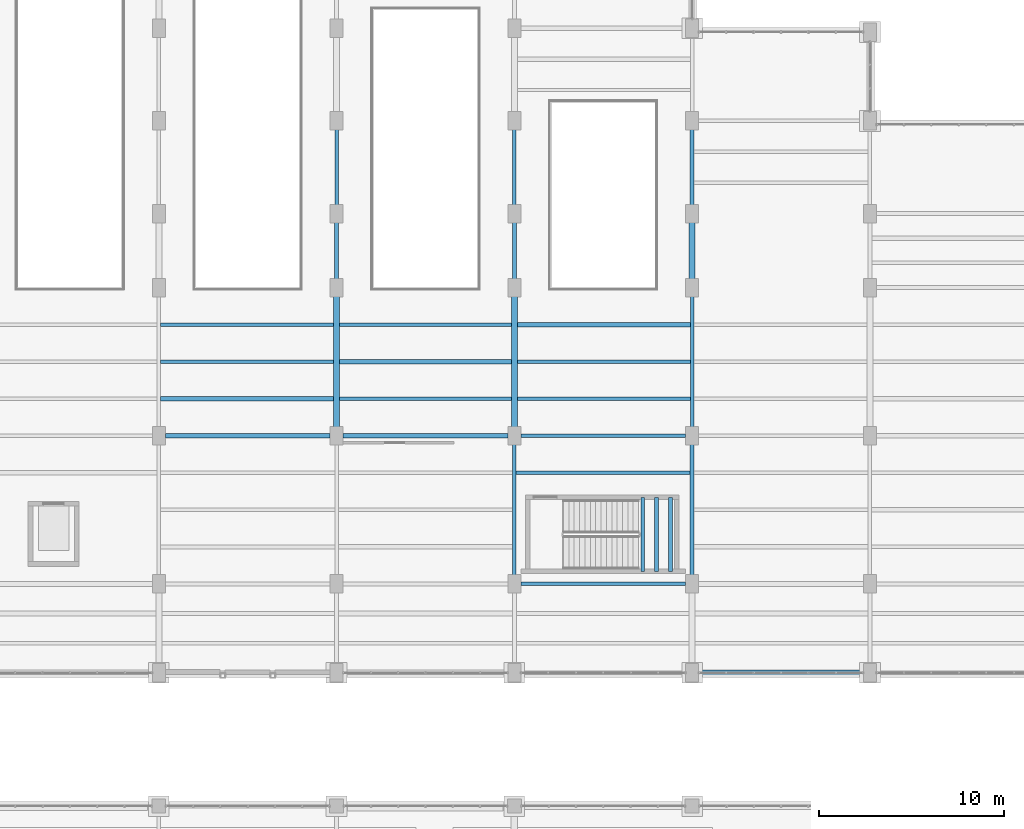
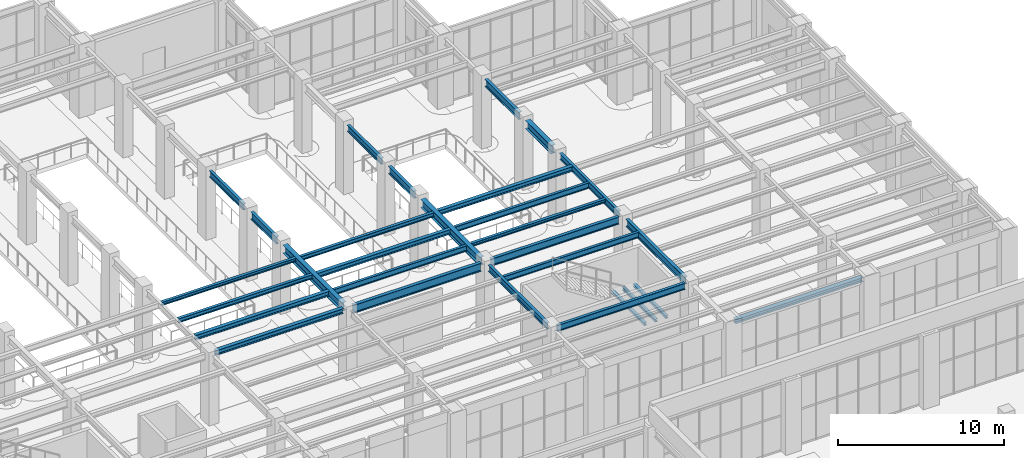
# One storey, part 103 of 164: 29 beams.
"""IFC4 building model written with IfcOpenShell, lengths in metres."""

from ifc_helpers import new_model, si_unit, direction, frame, origin, origin_2d, place, context, subcontext, project, spatial, i_section, extrude, material, material_profile, profile_set, type_object, element, save


model = new_model("IFC4")

# Units and contexts
model_context = context("Model", 3, precision=1e-05, world=origin(), true_north=direction((0.0, 1.0)))
body_context = subcontext(model_context, "Body", "Model", "MODEL_VIEW")
ifc_project = project(units=[si_unit("LENGTHUNIT", "METRE"), si_unit("AREAUNIT", "SQUARE_METRE"), si_unit("VOLUMEUNIT", "CUBIC_METRE"), si_unit("PLANEANGLEUNIT", "RADIAN"), si_unit("MASSUNIT", "GRAM", prefix="KILO")], contexts=[model_context])

# Site, building, storey
site_placement = place(None, origin())
site = spatial("IfcSite", under=ifc_project, at=site_placement, CompositionType="ELEMENT")
building_placement = place(site_placement, origin())
building = spatial("IfcBuilding", under=site, at=building_placement, Name="Mavantir Sound Aquarium", CompositionType="ELEMENT")
storey_placement = place(building_placement, origin())
storey = spatial("IfcBuildingStorey", under=building, at=storey_placement, Name="L00", CompositionType="ELEMENT", Elevation=0.0)

# Beams
ifc_material = material(Name="Structural Steel ASTM A992 Gr50", Category="steel")
ifc_material_profile_1 = material_profile(ifc_material, i_section(OverallWidth=0.202880859375, OverallDepth=0.202880859375, WebThickness=0.007080078125, FlangeThickness=0.010986328125, FilletRadius=0.010009765625, at=origin_2d()), Name="W200X46")
ifc_profile_set_1 = profile_set([ifc_material_profile_1], Name="Structural Steel ASTM A992 Gr50")
beam_type_1 = type_object("IfcBeamType", Name="BM-W200X46-I", PredefinedType="LINTEL", material=ifc_profile_set_1)
for number, where, z_axis, x_axis, name in (
    (1, (153.330078125, 41.47509765625, 2.3955078125), (0.0, 1.0, 0.0), (-1.0, 0.0, 0.0), "Stair ST12 landing support beam 73"),
    (2, (154.080078125, 41.47509765625, 2.3955078125), (0.0, 1.0, 0.0), (-1.0, 0.0, 0.0), "Stair ST12 landing support beam 74"),
    (3, (154.830078125, 41.47509765625, 2.3955078125), (0.0, 1.0, 0.0), (-1.0, 0.0, 0.0), "Stair ST12 landing support beam 75"),
):
    element("IfcBeam", number, at=place(storey_placement, frame(where, z_axis=z_axis, x_axis=x_axis)), inside=storey, type_object=beam_type_1, Name=name, PredefinedType="LINTEL", context=body_context, shape_type="SweptSolid", body=[
        extrude(i_section(OverallWidth=0.202880859375, OverallDepth=0.202880859375, WebThickness=0.007080078125, FlangeThickness=0.010986328125, FilletRadius=0.010009765625, at=origin_2d()), origin(), (0.0, 0.0, 1.0), 4.0),
    ])
ifc_material_profile_2 = material_profile(ifc_material, i_section(OverallWidth=0.202880859375, OverallDepth=0.251953125, WebThickness=0.008056640625, FlangeThickness=0.013427734375, FilletRadius=0.011962890625, at=origin_2d()), Name="W250X58")
ifc_profile_set_2 = profile_set([ifc_material_profile_2], Name="Structural Steel ASTM A992 Gr50")
beam_type_2 = type_object("IfcBeamType", Name="BM-W250X58-I", PredefinedType="JOIST", material=ifc_profile_set_2)
beam_1_placement = place(storey_placement, frame((127.297119140625, 54.800048828125, 4.9599609375), z_axis=(1.0, 0.0, 0.0), x_axis=(0.0, 1.0, 0.0)))
element("IfcBeam", 4, at=beam_1_placement, inside=storey, type_object=beam_type_2, Name="L00 secondary floor joist SJ-25 544", PredefinedType="JOIST", context=body_context, shape_type="SweptSolid", body=[
    extrude(i_section(OverallWidth=0.202880859375, OverallDepth=0.251953125, WebThickness=0.008056640625, FlangeThickness=0.013427734375, FilletRadius=0.011962890625, at=origin_2d()), origin(), (0.0, 0.0, 1.0), 9.3408203125),
])
beam_2_placement = place(storey_placement, frame((146.56201171875, 50.800048828125, 4.97998046875), z_axis=(1.0, 0.0, 0.0), x_axis=(0.0, 1.0, 0.0)))
element("IfcBeam", 5, at=beam_2_placement, inside=storey, type_object=beam_type_2, Name="L00 secondary floor joist SJ-25 548", PredefinedType="JOIST", context=body_context, shape_type="SweptSolid", body=[
    extrude(i_section(OverallWidth=0.202880859375, OverallDepth=0.251953125, WebThickness=0.008056640625, FlangeThickness=0.013427734375, FilletRadius=0.011962890625, at=origin_2d()), origin(), (0.0, 0.0, 1.0), 9.341064453125),
])
ifc_material_profile_3 = material_profile(ifc_material, i_section(OverallWidth=0.205078125, OverallDepth=0.31005859375, WebThickness=0.009521484375, FlangeThickness=0.016357421875, FilletRadius=0.012939453125, at=origin_2d()), Name="W310X74")
ifc_profile_set_3 = profile_set([ifc_material_profile_3], Name="Structural Steel ASTM A992 Gr50")
beam_type_3 = type_object("IfcBeamType", Name="BM-W310X74-I", PredefinedType="JOIST", material=ifc_profile_set_3)
beam_3_placement = place(storey_placement, frame((127.297119140625, 52.800048828125, 4.930908203125), z_axis=(1.0, 0.0, 0.0), x_axis=(0.0, 1.0, 0.0)))
element("IfcBeam", 6, at=beam_3_placement, inside=storey, type_object=beam_type_3, Name="L00 secondary floor joist SJ-31 543", PredefinedType="JOIST", context=body_context, shape_type="SweptSolid", body=[
    extrude(i_section(OverallWidth=0.205078125, OverallDepth=0.31005859375, WebThickness=0.009521484375, FlangeThickness=0.016357421875, FilletRadius=0.012939453125, at=origin_2d()), origin(), (0.0, 0.0, 1.0), 9.3408203125),
])
beam_4_placement = place(storey_placement, frame((136.9619140625, 54.800048828125, 4.910888671875), z_axis=(1.0, 0.0, 0.0), x_axis=(0.0, 1.0, 0.0)))
element("IfcBeam", 7, at=beam_4_placement, inside=storey, type_object=beam_type_3, Name="L00 secondary floor joist SJ-31 547", PredefinedType="JOIST", context=body_context, shape_type="SweptSolid", body=[
    extrude(i_section(OverallWidth=0.205078125, OverallDepth=0.31005859375, WebThickness=0.009521484375, FlangeThickness=0.016357421875, FilletRadius=0.012939453125, at=origin_2d()), origin(), (0.0, 0.0, 1.0), 9.276123046875),
])
ifc_material_profile_4 = material_profile(ifc_material, i_section(OverallWidth=0.304931640625, OverallDepth=0.30810546875, WebThickness=0.010009765625, FlangeThickness=0.015380859375, FilletRadius=0.014892578125, at=origin_2d()), Name="W310X97")
ifc_profile_set_4 = profile_set([ifc_material_profile_4], Name="Structural Steel ASTM A992 Gr50")
beam_type_4 = type_object("IfcBeamType", Name="BM-W310X97-E", PredefinedType="SPANDREL", material=ifc_profile_set_4)
beam_5_placement = place(storey_placement, frame((156.35009765625, 36.0, 4.912109375), z_axis=(1.0, 0.0, 0.0), x_axis=(0.0, 1.0, 0.0)))
element("IfcBeam", 8, at=beam_5_placement, inside=storey, type_object=beam_type_4, Name="L00 primary beam SS-31A 929", PredefinedType="SPANDREL", context=body_context, shape_type="SweptSolid", body=[
    extrude(i_section(OverallWidth=0.304931640625, OverallDepth=0.30810546875, WebThickness=0.010009765625, FlangeThickness=0.015380859375, FilletRadius=0.014892578125, at=origin_2d()), origin(), (0.0, 0.0, 1.0), 8.89990234375),
])
ifc_material_profile_5 = material_profile(ifc_material, i_section(OverallWidth=0.257080078125, OverallDepth=0.363037109375, WebThickness=0.012939453125, FlangeThickness=0.021728515625, FilletRadius=0.014892578125, at=origin_2d()), Name="W360X122")
ifc_profile_set_5 = profile_set([ifc_material_profile_5], Name="Structural Steel ASTM A992 Gr50")
beam_type_5 = type_object("IfcBeamType", Name="BM-W360X122-I", PredefinedType="BEAM", material=ifc_profile_set_5)
beam_6_placement = place(storey_placement, frame((127.550048828125, 48.800048828125, 4.904541015625), z_axis=(1.0, 0.0, 0.0), x_axis=(0.0, 1.0, 0.0)))
element("IfcBeam", 9, at=beam_6_placement, inside=storey, type_object=beam_type_5, Name="L00 primary beam SB-36A 940", PredefinedType="BEAM", context=body_context, shape_type="SweptSolid", body=[
    extrude(i_section(OverallWidth=0.257080078125, OverallDepth=0.363037109375, WebThickness=0.012939453125, FlangeThickness=0.021728515625, FilletRadius=0.014892578125, at=origin_2d()), origin(), (0.0, 0.0, 1.0), 8.89990234375),
])
ifc_material_profile_6 = material_profile(ifc_material, i_section(OverallWidth=0.25390625, OverallDepth=0.35302734375, WebThickness=0.009521484375, FlangeThickness=0.016357421875, FilletRadius=0.014892578125, at=origin_2d()), Name="W360X91")
ifc_profile_set_6 = profile_set([ifc_material_profile_6], Name="Structural Steel ASTM A992 Gr50")
beam_type_6 = type_object("IfcBeamType", Name="BM-W360X91-I", PredefinedType="JOIST", material=ifc_profile_set_6)
beam_7_placement = place(storey_placement, frame((127.297119140625, 50.800048828125, 4.909423828125), z_axis=(1.0, 0.0, 0.0), x_axis=(0.0, 1.0, 0.0)))
element("IfcBeam", 10, at=beam_7_placement, inside=storey, type_object=beam_type_6, Name="L00 secondary floor joist SJ-36 542", PredefinedType="JOIST", context=body_context, shape_type="SweptSolid", body=[
    extrude(i_section(OverallWidth=0.25390625, OverallDepth=0.35302734375, WebThickness=0.009521484375, FlangeThickness=0.016357421875, FilletRadius=0.014892578125, at=origin_2d()), origin(), (0.0, 0.0, 1.0), 9.3408203125),
])
beam_8_placement = place(storey_placement, frame((136.9619140625, 52.800048828125, 4.889404296875), z_axis=(1.0, 0.0, 0.0), x_axis=(0.0, 1.0, 0.0)))
element("IfcBeam", 11, at=beam_8_placement, inside=storey, type_object=beam_type_6, Name="L00 secondary floor joist SJ-36 546", PredefinedType="JOIST", context=body_context, shape_type="SweptSolid", body=[
    extrude(i_section(OverallWidth=0.25390625, OverallDepth=0.35302734375, WebThickness=0.009521484375, FlangeThickness=0.016357421875, FilletRadius=0.014892578125, at=origin_2d()), origin(), (0.0, 0.0, 1.0), 9.276123046875),
])
beam_9_placement = place(storey_placement, frame((146.56201171875, 54.800048828125, 4.929443359375), z_axis=(1.0, 0.0, 0.0), x_axis=(0.0, 1.0, 0.0)))
element("IfcBeam", 12, at=beam_9_placement, inside=storey, type_object=beam_type_6, Name="L00 secondary floor joist SJ-36 550", PredefinedType="JOIST", context=body_context, shape_type="SweptSolid", body=[
    extrude(i_section(OverallWidth=0.25390625, OverallDepth=0.35302734375, WebThickness=0.009521484375, FlangeThickness=0.016357421875, FilletRadius=0.014892578125, at=origin_2d()), origin(), (0.0, 0.0, 1.0), 9.341064453125),
])
ifc_material_profile_7 = material_profile(ifc_material, i_section(OverallWidth=0.180908203125, OverallDepth=0.4169921875, WebThickness=0.010986328125, FlangeThickness=0.018310546875, FilletRadius=0.014892578125, at=origin_2d()), Name="W410X85")
ifc_profile_set_7 = profile_set([ifc_material_profile_7], Name="Structural Steel ASTM A992 Gr50")
beam_type_7 = type_object("IfcBeamType", Name="BM-W410X85-I", PredefinedType="JOIST", material=ifc_profile_set_7)
beam_10_placement = place(storey_placement, frame((146.4970703125, 46.800048828125, 4.8974609375), z_axis=(1.0, 0.0, 0.0), x_axis=(0.0, 1.0, 0.0)))
element("IfcBeam", 13, at=beam_10_placement, inside=storey, type_object=beam_type_7, Name="L00 secondary floor joist SJ-41 529", PredefinedType="JOIST", context=body_context, shape_type="SweptSolid", body=[
    extrude(i_section(OverallWidth=0.180908203125, OverallDepth=0.4169921875, WebThickness=0.010986328125, FlangeThickness=0.018310546875, FilletRadius=0.014892578125, at=origin_2d()), origin(), (0.0, 0.0, 1.0), 9.39697265625),
])
beam_11_placement = place(storey_placement, frame((136.9619140625, 50.800048828125, 4.857421875), z_axis=(1.0, 0.0, 0.0), x_axis=(0.0, 1.0, 0.0)))
element("IfcBeam", 14, at=beam_11_placement, inside=storey, type_object=beam_type_7, Name="L00 secondary floor joist SJ-41 545", PredefinedType="JOIST", context=body_context, shape_type="SweptSolid", body=[
    extrude(i_section(OverallWidth=0.180908203125, OverallDepth=0.4169921875, WebThickness=0.010986328125, FlangeThickness=0.018310546875, FilletRadius=0.014892578125, at=origin_2d()), origin(), (0.0, 0.0, 1.0), 9.276123046875),
])
beam_12_placement = place(storey_placement, frame((146.56201171875, 52.800048828125, 4.8974609375), z_axis=(1.0, 0.0, 0.0), x_axis=(0.0, 1.0, 0.0)))
element("IfcBeam", 15, at=beam_12_placement, inside=storey, type_object=beam_type_7, Name="L00 secondary floor joist SJ-41 549", PredefinedType="JOIST", context=body_context, shape_type="SweptSolid", body=[
    extrude(i_section(OverallWidth=0.180908203125, OverallDepth=0.4169921875, WebThickness=0.010986328125, FlangeThickness=0.018310546875, FilletRadius=0.014892578125, at=origin_2d()), origin(), (0.0, 0.0, 1.0), 9.341064453125),
])
ifc_material_profile_8 = material_profile(ifc_material, i_section(OverallWidth=0.194091796875, OverallDepth=0.468994140625, WebThickness=0.0126953125, FlangeThickness=0.0205078125, FilletRadius=0.01611328125, at=origin_2d()), Name="W460X106")
ifc_profile_set_8 = profile_set([ifc_material_profile_8], Name="Structural Steel ASTM A992 Gr50")
beam_type_8 = type_object("IfcBeamType", Name="BM-W460X106-I", PredefinedType="BEAM", material=ifc_profile_set_8)
beam_13_placement = place(storey_placement, frame((146.75, 40.800048828125, 4.83154296875), z_axis=(1.0, 0.0, 0.0), x_axis=(0.0, 1.0, 0.0)))
element("IfcBeam", 16, at=beam_13_placement, inside=storey, type_object=beam_type_8, Name="L00 primary beam SB-46 935", PredefinedType="BEAM", context=body_context, shape_type="SweptSolid", body=[
    extrude(i_section(OverallWidth=0.194091796875, OverallDepth=0.468994140625, WebThickness=0.0126953125, FlangeThickness=0.0205078125, FilletRadius=0.01611328125, at=origin_2d()), origin(), (0.0, 0.0, 1.0), 8.89990234375),
])
beam_14_placement = place(storey_placement, frame((136.800048828125, 61.25, 4.83154296875), z_axis=(0.0, 1.0, 0.0), x_axis=(-1.0, 0.0, 0.0)))
element("IfcBeam", 17, at=beam_14_placement, inside=storey, type_object=beam_type_8, Name="L00 primary girder SB-46 999", PredefinedType="BEAM", context=body_context, shape_type="SweptSolid", body=[
    extrude(i_section(OverallWidth=0.194091796875, OverallDepth=0.468994140625, WebThickness=0.0126953125, FlangeThickness=0.0205078125, FilletRadius=0.01611328125, at=origin_2d()), origin(), (0.0, 0.0, 1.0), 4.10009765625),
])
beam_15_placement = place(storey_placement, frame((146.39990234375, 41.25, 4.83154296875), z_axis=(0.0, 1.0, 0.0), x_axis=(-1.0, 0.0, 0.0)))
element("IfcBeam", 18, at=beam_15_placement, inside=storey, type_object=beam_type_8, Name="L00 primary girder SB-46 1005", PredefinedType="BEAM", context=body_context, shape_type="SweptSolid", body=[
    extrude(i_section(OverallWidth=0.194091796875, OverallDepth=0.468994140625, WebThickness=0.0126953125, FlangeThickness=0.0205078125, FilletRadius=0.01611328125, at=origin_2d()), origin(), (0.0, 0.0, 1.0), 7.10009765625),
])
beam_16_placement = place(storey_placement, frame((146.39990234375, 61.25, 4.83154296875), z_axis=(0.0, 1.0, 0.0), x_axis=(-1.0, 0.0, 0.0)))
element("IfcBeam", 19, at=beam_16_placement, inside=storey, type_object=beam_type_8, Name="L00 primary girder SB-46 1008", PredefinedType="BEAM", context=body_context, shape_type="SweptSolid", body=[
    extrude(i_section(OverallWidth=0.194091796875, OverallDepth=0.468994140625, WebThickness=0.0126953125, FlangeThickness=0.0205078125, FilletRadius=0.01611328125, at=origin_2d()), origin(), (0.0, 0.0, 1.0), 4.10009765625),
])
beam_17_placement = place(storey_placement, frame((156.0, 49.25, 4.8515625), z_axis=(0.0, 1.0, 0.0), x_axis=(-1.0, 0.0, 0.0)))
element("IfcBeam", 20, at=beam_17_placement, inside=storey, type_object=beam_type_8, Name="L00 primary girder SB-46 1014", PredefinedType="BEAM", context=body_context, shape_type="SweptSolid", body=[
    extrude(i_section(OverallWidth=0.194091796875, OverallDepth=0.468994140625, WebThickness=0.0126953125, FlangeThickness=0.0205078125, FilletRadius=0.01611328125, at=origin_2d()), origin(), (0.0, 0.0, 1.0), 7.10009765625),
])
ifc_material_profile_9 = material_profile(ifc_material, i_section(OverallWidth=0.2119140625, OverallDepth=0.5439453125, WebThickness=0.01318359375, FlangeThickness=0.021240234375, FilletRadius=0.01806640625, at=origin_2d()), Name="W530X123")
ifc_profile_set_9 = profile_set([ifc_material_profile_9], Name="Structural Steel ASTM A992 Gr50")
beam_type_9 = type_object("IfcBeamType", Name="BM-W530X123-I", PredefinedType="BEAM", material=ifc_profile_set_9)
beam_18_placement = place(storey_placement, frame((146.75, 48.800048828125, 4.833984375), z_axis=(1.0, 0.0, 0.0), x_axis=(0.0, 1.0, 0.0)))
element("IfcBeam", 21, at=beam_18_placement, inside=storey, type_object=beam_type_9, Name="L00 primary beam SB-53 942", PredefinedType="BEAM", context=body_context, shape_type="SweptSolid", body=[
    extrude(i_section(OverallWidth=0.2119140625, OverallDepth=0.5439453125, WebThickness=0.01318359375, FlangeThickness=0.021240234375, FilletRadius=0.01806640625, at=origin_2d()), origin(), (0.0, 0.0, 1.0), 8.89990234375),
])
for number, where, z_axis, x_axis, name in (
    (22, (136.800048828125, 57.25, 4.7939453125), (0.0, 1.0, 0.0), (-1.0, 0.0, 0.0), "L00 primary girder SB-53 998"),
    (23, (146.39990234375, 57.25, 4.7939453125), (0.0, 1.0, 0.0), (-1.0, 0.0, 0.0), "L00 primary girder SB-53 1007"),
):
    element("IfcBeam", number, at=place(storey_placement, frame(where, z_axis=z_axis, x_axis=x_axis)), inside=storey, type_object=beam_type_9, Name=name, PredefinedType="BEAM", context=body_context, shape_type="SweptSolid", body=[
        extrude(i_section(OverallWidth=0.2119140625, OverallDepth=0.5439453125, WebThickness=0.01318359375, FlangeThickness=0.021240234375, FilletRadius=0.01806640625, at=origin_2d()), origin(), (0.0, 0.0, 1.0), 3.10009765625),
    ])
beam_19_placement = place(storey_placement, frame((156.0, 41.25, 4.81396484375), z_axis=(0.0, 1.0, 0.0), x_axis=(-1.0, 0.0, 0.0)))
element("IfcBeam", 24, at=beam_19_placement, inside=storey, type_object=beam_type_9, Name="L00 primary girder SB-53 1013", PredefinedType="BEAM", context=body_context, shape_type="SweptSolid", body=[
    extrude(i_section(OverallWidth=0.2119140625, OverallDepth=0.5439453125, WebThickness=0.01318359375, FlangeThickness=0.021240234375, FilletRadius=0.01806640625, at=origin_2d()), origin(), (0.0, 0.0, 1.0), 7.10009765625),
])
beam_20_placement = place(storey_placement, frame((156.0, 61.25, 4.81396484375), z_axis=(0.0, 1.0, 0.0), x_axis=(-1.0, 0.0, 0.0)))
element("IfcBeam", 25, at=beam_20_placement, inside=storey, type_object=beam_type_9, Name="L00 primary girder SB-53 1016", PredefinedType="BEAM", context=body_context, shape_type="SweptSolid", body=[
    extrude(i_section(OverallWidth=0.2119140625, OverallDepth=0.5439453125, WebThickness=0.01318359375, FlangeThickness=0.021240234375, FilletRadius=0.01806640625, at=origin_2d()), origin(), (0.0, 0.0, 1.0), 4.10009765625),
])
ifc_material_profile_10 = material_profile(ifc_material, i_section(OverallWidth=0.22900390625, OverallDepth=0.612060546875, WebThickness=0.011962890625, FlangeThickness=0.01953125, FilletRadius=0.01904296875, at=origin_2d()), Name="W610X125")
ifc_profile_set_10 = profile_set([ifc_material_profile_10], Name="Structural Steel ASTM A992 Gr50")
beam_type_10 = type_object("IfcBeamType", Name="BM-W610X125-I", PredefinedType="BEAM", material=ifc_profile_set_10)
beam_21_placement = place(storey_placement, frame((137.14990234375, 48.800048828125, 4.760009765625), z_axis=(1.0, 0.0, 0.0), x_axis=(0.0, 1.0, 0.0)))
element("IfcBeam", 26, at=beam_21_placement, inside=storey, type_object=beam_type_10, Name="L00 primary beam SB-61B 941", PredefinedType="BEAM", context=body_context, shape_type="SweptSolid", body=[
    extrude(i_section(OverallWidth=0.22900390625, OverallDepth=0.612060546875, WebThickness=0.011962890625, FlangeThickness=0.01953125, FilletRadius=0.01904296875, at=origin_2d()), origin(), (0.0, 0.0, 1.0), 8.900146484375),
])
ifc_material_profile_11 = material_profile(ifc_material, i_section(OverallWidth=0.323974609375, OverallDepth=0.611083984375, WebThickness=0.0126953125, FlangeThickness=0.01904296875, FilletRadius=0.01904296875, at=origin_2d()), Name="W610X155")
ifc_profile_set_11 = profile_set([ifc_material_profile_11], Name="Structural Steel ASTM A992 Gr50")
beam_type_11 = type_object("IfcBeamType", Name="BM-W610X155-I", PredefinedType="BEAM", material=ifc_profile_set_11)
for number, where, z_axis, x_axis, name in (
    (27, (136.800048828125, 49.25, 4.760498046875), (0.0, 1.0, 0.0), (-1.0, 0.0, 0.0), "L00 primary girder SB-61A 997"),
    (28, (146.39990234375, 49.25, 4.760498046875), (0.0, 1.0, 0.0), (-1.0, 0.0, 0.0), "L00 primary girder SB-61A 1006"),
):
    element("IfcBeam", number, at=place(storey_placement, frame(where, z_axis=z_axis, x_axis=x_axis)), inside=storey, type_object=beam_type_11, Name=name, PredefinedType="BEAM", context=body_context, shape_type="SweptSolid", body=[
        extrude(i_section(OverallWidth=0.323974609375, OverallDepth=0.611083984375, WebThickness=0.0126953125, FlangeThickness=0.01904296875, FilletRadius=0.01904296875, at=origin_2d()), origin(), (0.0, 0.0, 1.0), 7.10009765625),
    ])
beam_22_placement = place(storey_placement, frame((156.0, 57.25, 4.780517578125), z_axis=(0.0, 1.0, 0.0), x_axis=(-1.0, 0.0, 0.0)))
element("IfcBeam", 29, at=beam_22_placement, inside=storey, type_object=beam_type_11, Name="L00 primary girder SB-61A 1015", PredefinedType="BEAM", context=body_context, shape_type="SweptSolid", body=[
    extrude(i_section(OverallWidth=0.323974609375, OverallDepth=0.611083984375, WebThickness=0.0126953125, FlangeThickness=0.01904296875, FilletRadius=0.01904296875, at=origin_2d()), origin(), (0.0, 0.0, 1.0), 3.10009765625),
])

save(model, "model.ifc")
